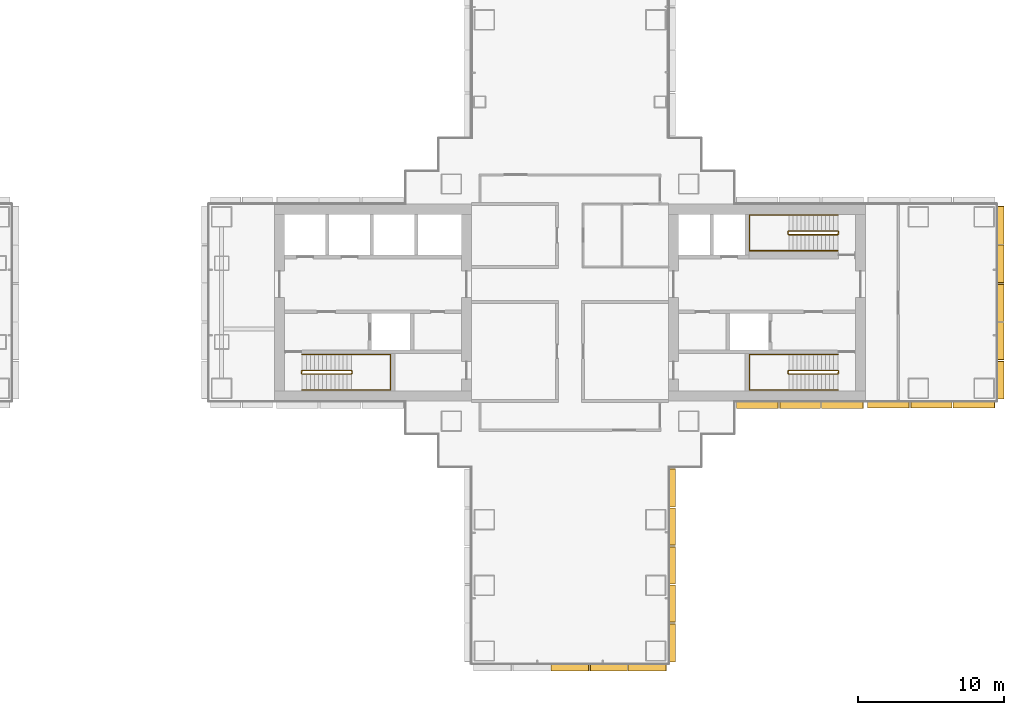
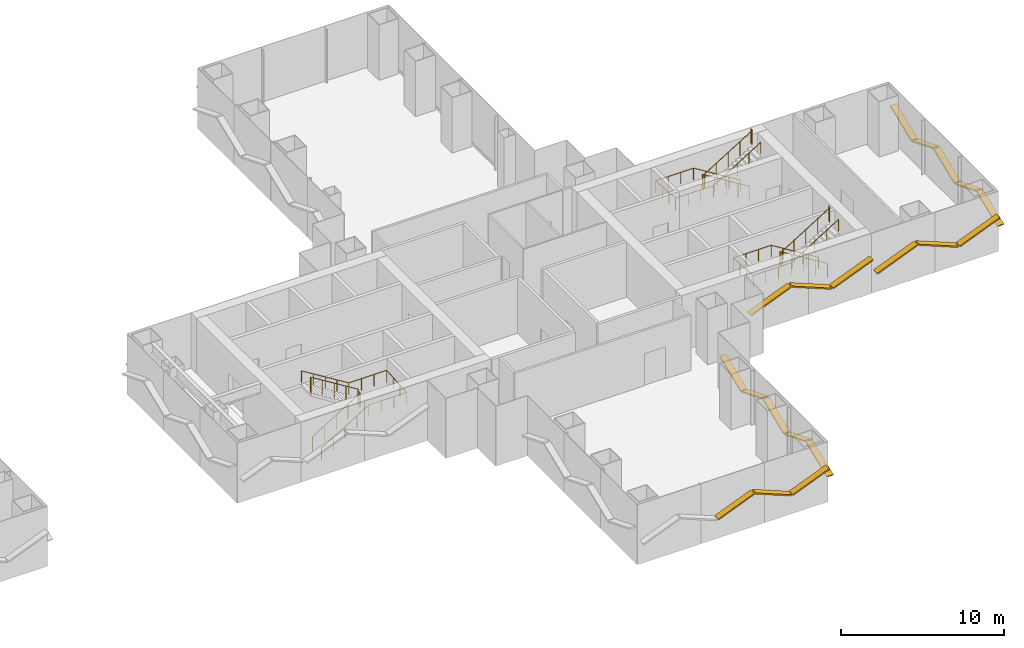
# One storey, part 21 of 22: 19 shading devices, 6 railings.
"""IFC4 building model written with IfcOpenShell, lengths in metres."""

import ifcopenshell
import ifcopenshell.guid

model = None  # the IFC model being written
_history = None  # IfcOwnerHistory: only IFC2X3 demands one
_inside = {}  # id of a spatial element -> (the spatial element, [elements in it])
_under = {}  # id of a project, library or spatial element -> (it, [spatial elements below it])
_declared = {}  # id of a project -> (the project, [libraries it declares])
_typed = {}  # id of a type object -> (the type object, [elements of that type])
_made_of = {}  # id of a material, layer set ... -> (it, [elements and type objects made of it])


def new_model(schema):
    """Start an empty IFC model of exactly this schema.

    Asked for "IFC4X3", IfcOpenShell would pick the latest addendum, in which some entities
    have other attributes; the version numbers below select the first issue.
    IFC2X3 requires an IfcOwnerHistory on every rooted entity: one is made here for all.
    """
    global model, _history
    if schema == "IFC4X3":
        model = ifcopenshell.file(schema_version=(4, 3, 0, 0))
    else:
        model = ifcopenshell.file(schema=schema)
    _inside.clear()
    _under.clear()
    _declared.clear()
    _typed.clear()
    _made_of.clear()
    _history = None
    if model.schema == "IFC2X3":
        org = make("IfcOrganization", Name="unknown")
        user = make(
            "IfcPersonAndOrganization",
            ThePerson=make("IfcPerson", FamilyName="unknown"),
            TheOrganization=org,
        )
        app = make(
            "IfcApplication",
            ApplicationDeveloper=org,
            Version="unknown",
            ApplicationFullName="unknown",
            ApplicationIdentifier="unknown",
        )
        _history = make(
            "IfcOwnerHistory",
            OwningUser=user,
            OwningApplication=app,
            ChangeAction="ADDED",
            CreationDate=0,
        )
    return model


def make(cls, **values):
    """One entity of the class cls with the attributes given. An attribute that is None is left unset."""
    return model.create_entity(
        cls, **{name: value for name, value in values.items() if value is not None}
    )


def rooted(cls, **values):
    """An entity with a GlobalId (a new one), such as an element, a storey or a relation."""
    return make(cls, GlobalId=ifcopenshell.guid.new(), OwnerHistory=_history, **values)


def si_unit(unit_type, name, prefix=None):
    """IfcSIUnit, for example si_unit("LENGTHUNIT", "METRE", prefix="MILLI")."""
    return make("IfcSIUnit", UnitType=unit_type, Prefix=prefix, Name=name)


def assignment(units):
    """IfcUnitAssignment: the units of a project."""
    return None if units is None else make("IfcUnitAssignment", Units=units)


def point(xyz):
    """IfcCartesianPoint."""
    return None if xyz is None else make("IfcCartesianPoint", Coordinates=xyz)


def direction(xyz):
    """IfcDirection."""
    return None if xyz is None else make("IfcDirection", DirectionRatios=xyz)


def frame(location, z_axis=None, x_axis=None):
    """IfcAxis2Placement3D, a coordinate frame: its origin and axes. An axis left out is left unset."""
    return make(
        "IfcAxis2Placement3D",
        Location=point(location),
        Axis=direction(z_axis),
        RefDirection=direction(x_axis),
    )


def frame_2d(location, x_axis=None):
    """IfcAxis2Placement2D, a coordinate frame in the plane: its origin and x axis."""
    return make(
        "IfcAxis2Placement2D", Location=point(location), RefDirection=direction(x_axis)
    )


def origin():
    """The frame at (0, 0, 0) with its axes left unset."""
    return frame((0.0, 0.0, 0.0))


def origin_2d():
    """The frame at (0, 0) in the plane with its x axis left unset."""
    return frame_2d((0.0, 0.0))


def place(relative_to, where):
    """IfcLocalPlacement: puts the frame where relative to a parent placement (None: the world)."""
    return make(
        "IfcLocalPlacement", PlacementRelTo=relative_to, RelativePlacement=where
    )


def context(
    kind, dimensions, precision=None, world=None, true_north=None, identifier=None
):
    """IfcGeometricRepresentationContext, for example the 3D "Model" context."""
    return make(
        "IfcGeometricRepresentationContext",
        ContextIdentifier=identifier,
        ContextType=kind,
        CoordinateSpaceDimension=dimensions,
        Precision=precision,
        WorldCoordinateSystem=world,
        TrueNorth=true_north,
    )


def subcontext(parent, identifier, kind, view, scale=None):
    """IfcGeometricRepresentationSubContext, for example "Body" below "Model"."""
    return make(
        "IfcGeometricRepresentationSubContext",
        ContextIdentifier=identifier,
        ContextType=kind,
        ParentContext=parent,
        TargetScale=scale,
        TargetView=view,
    )


def project(units=None, contexts=None):
    """IfcProject with its units and contexts."""
    return rooted(
        "IfcProject",
        Name="project",
        RepresentationContexts=contexts,
        UnitsInContext=assignment(units),
    )


def spatial(cls, under=None, at=None, **own):
    """A site, building, storey or space (cls), placed at a placement, below another one or the project."""
    s = rooted(cls, ObjectPlacement=at, **own)
    if under is not None:
        _under.setdefault(under.id(), (under, []))[1].append(s)
    return s


def profile(cls, at=None, kind="AREA", **sizes):
    """A parametric profile (cls). Its sizes go by their IFC names, for example OverallWidth=200.0."""
    return make(cls, ProfileType=kind, Position=at, **sizes)


def rectangle(**sizes):
    """IfcRectangleProfileDef."""
    return profile("IfcRectangleProfileDef", **sizes)


def circle(**sizes):
    """IfcCircleProfileDef."""
    return profile("IfcCircleProfileDef", **sizes)


def extrude(swept, where, along, depth):
    """IfcExtrudedAreaSolid: the profile swept, set in the frame where, extruded along a direction by depth."""
    return make(
        "IfcExtrudedAreaSolid",
        SweptArea=swept,
        Position=where,
        ExtrudedDirection=direction(along),
        Depth=depth,
    )


def shape(context_of_items, identifier, shape_type, items):
    """IfcShapeRepresentation: the items that make up one representation, for example the "Body"."""
    return make(
        "IfcShapeRepresentation",
        ContextOfItems=context_of_items,
        RepresentationIdentifier=identifier,
        RepresentationType=shape_type,
        Items=items,
    )


def material(Name=None, Category=None):
    """IfcMaterial."""
    return make("IfcMaterial", Name=Name, Category=Category)


def material_profile(
    of_material, cross_section, Name=None, Category=None, Priority=None
):
    """IfcMaterialProfile: a cross section and its material."""
    return make(
        "IfcMaterialProfile",
        Name=Name,
        Material=of_material,
        Profile=cross_section,
        Priority=Priority,
        Category=Category,
    )


def profile_set(profiles, Name=None, composite=None):
    """IfcMaterialProfileSet."""
    return make(
        "IfcMaterialProfileSet",
        Name=Name,
        MaterialProfiles=profiles,
        CompositeProfile=composite,
    )


def made_of(thing, what):
    """Note that an element or type object is made of a material, layer set ...; save() writes the relation."""
    if what is not None:
        _made_of.setdefault(what.id(), (what, []))[1].append(thing)
    return thing


def type_object(cls, material=None, **own):
    """A type object (cls), such as IfcWallType, which elements share."""
    return made_of(rooted(cls, **own), material)


def element(
    cls,
    number,
    at=None,
    inside=None,
    cuts=None,
    type_object=None,
    material=None,
    context=None,
    identifier="Body",
    shape_type=None,
    held_by="IfcProductDefinitionShape",
    body=None,
    shapes=None,
    **own,
):
    """One element of the class cls, such as IfcWall. Its Tag is "e" and its number.

    at: its placement. inside: the storey or other place that contains it. cuts: it is an
    opening in that element (IfcRelVoidsElement). A single representation is given by context,
    identifier, shape_type and body (its items); several are given by shapes. held_by: the class
    of the entity that holds the representations. save() writes the other relations.
    """
    e = rooted(cls, Tag="e%d" % number, ObjectPlacement=at, **own)
    if body is not None:
        shapes = [shape(context, identifier, shape_type, body)]
    if shapes is not None:
        e.Representation = make(held_by, Representations=shapes)
    if inside is not None:
        _inside.setdefault(inside.id(), (inside, []))[1].append(e)
    if cuts is not None:
        rooted(
            "IfcRelVoidsElement", RelatingBuildingElement=cuts, RelatedOpeningElement=e
        )
    if type_object is not None:
        _typed.setdefault(type_object.id(), (type_object, []))[1].append(e)
    return made_of(e, material)


def aggregate(whole, parts):
    """IfcRelAggregates: a whole, such as a stair, and the parts it consists of."""
    return rooted("IfcRelAggregates", RelatingObject=whole, RelatedObjects=parts)


def save(model, path):
    """Write the relations noted so far, then the file.

    IfcRelAggregates (storeys below a building ...), IfcRelContainedInSpatialStructure (elements
    in a storey), IfcRelDefinesByType, IfcRelAssociatesMaterial and IfcRelDeclares: one each for
    every whole, place, type object, material and project.
    """
    for whole, parts in _under.values():
        aggregate(whole, parts)
    for where, things in _inside.values():
        rooted(
            "IfcRelContainedInSpatialStructure",
            RelatedElements=things,
            RelatingStructure=where,
        )
    for kind, things in _typed.values():
        rooted("IfcRelDefinesByType", RelatedObjects=things, RelatingType=kind)
    for what, things in _made_of.values():
        rooted("IfcRelAssociatesMaterial", RelatedObjects=things, RelatingMaterial=what)
    for by, libraries in _declared.values():
        rooted("IfcRelDeclares", RelatingContext=by, RelatedDefinitions=libraries)
    model.write(path)


model = new_model("IFC4")

# Units and contexts
model_context = context("Model", 3, precision=1e-05, world=origin(), true_north=direction((0.0, 1.0)))
body_context = subcontext(model_context, "Body", "Model", "MODEL_VIEW")
ifc_project = project(units=[si_unit("LENGTHUNIT", "METRE"), si_unit("AREAUNIT", "SQUARE_METRE"), si_unit("VOLUMEUNIT", "CUBIC_METRE"), si_unit("PLANEANGLEUNIT", "RADIAN"), si_unit("MASSUNIT", "GRAM", prefix="KILO")], contexts=[model_context])

# Site, building, storey
site_placement = place(None, origin())
site = spatial("IfcSite", under=ifc_project, at=site_placement, CompositionType="ELEMENT")
building_placement = place(site_placement, origin())
building = spatial("IfcBuilding", under=site, at=building_placement, Name="Shamsa Quay Exchange Towers", CompositionType="ELEMENT")
storey_placement = place(building_placement, frame((0.0, 0.0, 37.5)))
storey = spatial("IfcBuildingStorey", under=building, at=storey_placement, Name="L07", CompositionType="ELEMENT", Elevation=37.5)

# Shading devices
ifc_material_1 = material(Name="Aluminium EN AW-6063 T6, black anodised", Category="aluminium")
ifc_material_profile = material_profile(ifc_material_1, rectangle(XDim=0.449951171875, YDim=0.10009765625, at=origin_2d()), Name="FIN450x100")
ifc_profile_set = profile_set([ifc_material_profile], Name="Aluminium EN AW-6063 T6, black anodised")
shading_device_type = type_object("IfcShadingDeviceType", Name="FIN 450x100 BLACK ALUMINIUM", PredefinedType="USERDEFINED", material=ifc_profile_set)
shading_device_1_placement = place(storey_placement, frame((45.18798828125, -7.01904296875, 1.326904296875), z_axis=(0.927200279974, 0.0, 0.374565936541), x_axis=(0.0, 1.0, 0.0)))
element("IfcShadingDevice", 1, at=shading_device_1_placement, inside=storey, type_object=shading_device_type, Name="FIN T2 chevron rib", ObjectType="FIN", PredefinedType="USERDEFINED", context=body_context, shape_type="SweptSolid", body=[
    extrude(rectangle(XDim=0.449951171875, YDim=0.10009765625, at=origin_2d()), origin(), (0.0, 0.0, 1.0), 3.060302734375),
])
shading_device_2_placement = place(storey_placement, frame((48.125244140625, -7.01904296875, 2.463134765625), z_axis=(0.927177294124, 0.0, -0.374622830673), x_axis=(0.0, 1.0, 0.0)))
element("IfcShadingDevice", 2, at=shading_device_2_placement, inside=storey, type_object=shading_device_type, Name="FIN T2 chevron rib", ObjectType="FIN", PredefinedType="USERDEFINED", context=body_context, shape_type="SweptSolid", body=[
    extrude(rectangle(XDim=0.449951171875, YDim=0.10009765625, at=origin_2d()), origin(), (0.0, 0.0, 1.0), 3.00634765625),
])
shading_device_3_placement = place(storey_placement, frame((51.0126953125, -7.01904296875, 1.326904296875), z_axis=(0.927200279974, 0.0, 0.374565936541), x_axis=(0.0, 1.0, 0.0)))
element("IfcShadingDevice", 3, at=shading_device_3_placement, inside=storey, type_object=shading_device_type, Name="FIN T2 chevron rib", ObjectType="FIN", PredefinedType="USERDEFINED", context=body_context, shape_type="SweptSolid", body=[
    extrude(rectangle(XDim=0.449951171875, YDim=0.10009765625, at=origin_2d()), origin(), (0.0, 0.0, 1.0), 3.060302734375),
])
shading_device_4_placement = place(storey_placement, frame((54.14990234375, -7.014892578125, 1.32421875), z_axis=(0.927172879528, 0.0, 0.374633756445), x_axis=(0.0, 1.0, 0.0)))
element("IfcShadingDevice", 4, at=shading_device_4_placement, inside=storey, type_object=shading_device_type, Name="FIN T2 chevron rib", ObjectType="FIN", PredefinedType="USERDEFINED", context=body_context, shape_type="SweptSolid", body=[
    extrude(rectangle(XDim=0.449951171875, YDim=0.10009765625, at=origin_2d()), origin(), (0.0, 0.0, 1.0), 3.073974609375),
])
shading_device_5_placement = place(storey_placement, frame((57.10009765625, -7.014892578125, 2.465576171875), z_axis=(0.927194321903, 0.0, -0.374580684808), x_axis=(0.0, 1.0, 0.0)))
element("IfcShadingDevice", 5, at=shading_device_5_placement, inside=storey, type_object=shading_device_type, Name="FIN T2 chevron rib", ObjectType="FIN", PredefinedType="USERDEFINED", context=body_context, shape_type="SweptSolid", body=[
    extrude(rectangle(XDim=0.449951171875, YDim=0.10009765625, at=origin_2d()), origin(), (0.0, 0.0, 1.0), 3.01953125),
])
shading_device_6_placement = place(storey_placement, frame((60.0, -7.014892578125, 1.32421875), z_axis=(0.927172879528, 0.0, 0.374633756445), x_axis=(0.0, 1.0, 0.0)))
element("IfcShadingDevice", 6, at=shading_device_6_placement, inside=storey, type_object=shading_device_type, Name="FIN T2 chevron rib", ObjectType="FIN", PredefinedType="USERDEFINED", context=body_context, shape_type="SweptSolid", body=[
    extrude(rectangle(XDim=0.449951171875, YDim=0.10009765625, at=origin_2d()), origin(), (0.0, 0.0, 1.0), 3.073974609375),
])
shading_device_7_placement = place(storey_placement, frame((63.264892578125, -6.60009765625, 1.376708984375), z_axis=(0.0, 0.927193392866, 0.374582984431), x_axis=(-1.0, 0.0, 0.0)))
element("IfcShadingDevice", 7, at=shading_device_7_placement, inside=storey, type_object=shading_device_type, Name="FIN T2 chevron rib", ObjectType="FIN", PredefinedType="USERDEFINED", context=body_context, shape_type="SweptSolid", body=[
    extrude(rectangle(XDim=0.449951171875, YDim=0.10009765625, at=origin_2d()), origin(), (0.0, 0.0, 1.0), 2.79345703125),
])
shading_device_8_placement = place(storey_placement, frame((63.264892578125, -3.909912109375, 2.4130859375), z_axis=(0.0, 0.92718648049, -0.374600093963), x_axis=(-1.0, 0.0, 0.0)))
element("IfcShadingDevice", 8, at=shading_device_8_placement, inside=storey, type_object=shading_device_type, Name="FIN T2 chevron rib", ObjectType="FIN", PredefinedType="USERDEFINED", context=body_context, shape_type="SweptSolid", body=[
    extrude(rectangle(XDim=0.449951171875, YDim=0.10009765625, at=origin_2d()), origin(), (0.0, 0.0, 1.0), 2.7392578125),
])
shading_device_9_placement = place(storey_placement, frame((63.264892578125, -1.27001953125, 1.386962890625), z_axis=(0.0, 0.927198985683, 0.37456914041), x_axis=(-1.0, 0.0, 0.0)))
element("IfcShadingDevice", 9, at=shading_device_9_placement, inside=storey, type_object=shading_device_type, Name="FIN T2 chevron rib", ObjectType="FIN", PredefinedType="USERDEFINED", context=body_context, shape_type="SweptSolid", body=[
    extrude(rectangle(XDim=0.449951171875, YDim=0.10009765625, at=origin_2d()), origin(), (0.0, 0.0, 1.0), 2.739501953125),
])
shading_device_10_placement = place(storey_placement, frame((63.264892578125, 1.3701171875, 2.4130859375), z_axis=(0.0, 0.92718648049, -0.374600093963), x_axis=(-1.0, 0.0, 0.0)))
element("IfcShadingDevice", 10, at=shading_device_10_placement, inside=storey, type_object=shading_device_type, Name="FIN T2 chevron rib", ObjectType="FIN", PredefinedType="USERDEFINED", context=body_context, shape_type="SweptSolid", body=[
    extrude(rectangle(XDim=0.449951171875, YDim=0.10009765625, at=origin_2d()), origin(), (0.0, 0.0, 1.0), 2.7392578125),
])
shading_device_11_placement = place(storey_placement, frame((63.264892578125, 4.010009765625, 1.376708984375), z_axis=(0.0, 0.927193392866, 0.374582984431), x_axis=(-1.0, 0.0, 0.0)))
element("IfcShadingDevice", 11, at=shading_device_11_placement, inside=storey, type_object=shading_device_type, Name="FIN T2 chevron rib", ObjectType="FIN", PredefinedType="USERDEFINED", context=body_context, shape_type="SweptSolid", body=[
    extrude(rectangle(XDim=0.449951171875, YDim=0.10009765625, at=origin_2d()), origin(), (0.0, 0.0, 1.0), 2.79345703125),
])
shading_device_12_placement = place(storey_placement, frame((32.47998046875, -25.014892578125, 1.386962890625), z_axis=(0.927198985683, 0.0, 0.37456914041), x_axis=(0.0, 1.0, 0.0)))
element("IfcShadingDevice", 12, at=shading_device_12_placement, inside=storey, type_object=shading_device_type, Name="FIN T2 chevron rib", ObjectType="FIN", PredefinedType="USERDEFINED", context=body_context, shape_type="SweptSolid", body=[
    extrude(rectangle(XDim=0.449951171875, YDim=0.10009765625, at=origin_2d()), origin(), (0.0, 0.0, 1.0), 2.739501953125),
])
shading_device_13_placement = place(storey_placement, frame((35.1201171875, -25.014892578125, 2.4130859375), z_axis=(0.92718648049, 0.0, -0.374600093963), x_axis=(0.0, 1.0, 0.0)))
element("IfcShadingDevice", 13, at=shading_device_13_placement, inside=storey, type_object=shading_device_type, Name="FIN T2 chevron rib", ObjectType="FIN", PredefinedType="USERDEFINED", context=body_context, shape_type="SweptSolid", body=[
    extrude(rectangle(XDim=0.449951171875, YDim=0.10009765625, at=origin_2d()), origin(), (0.0, 0.0, 1.0), 2.7392578125),
])
for number, where, z_axis, x_axis, name in (
    (14, (37.760009765625, -25.014892578125, 1.376708984375), (0.927193392866, 0.0, 0.374582984431), (0.0, 1.0, 0.0), "FIN T2 chevron rib"),
    (15, (40.764892578125, -24.60009765625, 1.376708984375), (0.0, 0.927193392866, 0.374582984431), (-1.0, 0.0, 0.0), "FIN T2 chevron rib"),
):
    element("IfcShadingDevice", number, at=place(storey_placement, frame(where, z_axis=z_axis, x_axis=x_axis)), inside=storey, type_object=shading_device_type, Name=name, ObjectType="FIN", PredefinedType="USERDEFINED", context=body_context, shape_type="SweptSolid", body=[
        extrude(rectangle(XDim=0.449951171875, YDim=0.10009765625, at=origin_2d()), origin(), (0.0, 0.0, 1.0), 2.79345703125),
    ])
shading_device_14_placement = place(storey_placement, frame((40.764892578125, -21.909912109375, 2.4130859375), z_axis=(0.0, 0.92718648049, -0.374600093963), x_axis=(-1.0, 0.0, 0.0)))
element("IfcShadingDevice", 16, at=shading_device_14_placement, inside=storey, type_object=shading_device_type, Name="FIN T2 chevron rib", ObjectType="FIN", PredefinedType="USERDEFINED", context=body_context, shape_type="SweptSolid", body=[
    extrude(rectangle(XDim=0.449951171875, YDim=0.10009765625, at=origin_2d()), origin(), (0.0, 0.0, 1.0), 2.7392578125),
])
shading_device_15_placement = place(storey_placement, frame((40.764892578125, -19.27001953125, 1.386962890625), z_axis=(0.0, 0.927198985683, 0.37456914041), x_axis=(-1.0, 0.0, 0.0)))
element("IfcShadingDevice", 17, at=shading_device_15_placement, inside=storey, type_object=shading_device_type, Name="FIN T2 chevron rib", ObjectType="FIN", PredefinedType="USERDEFINED", context=body_context, shape_type="SweptSolid", body=[
    extrude(rectangle(XDim=0.449951171875, YDim=0.10009765625, at=origin_2d()), origin(), (0.0, 0.0, 1.0), 2.739501953125),
])
shading_device_16_placement = place(storey_placement, frame((40.764892578125, -16.6298828125, 2.4130859375), z_axis=(0.0, 0.92718648049, -0.374600093963), x_axis=(-1.0, 0.0, 0.0)))
element("IfcShadingDevice", 18, at=shading_device_16_placement, inside=storey, type_object=shading_device_type, Name="FIN T2 chevron rib", ObjectType="FIN", PredefinedType="USERDEFINED", context=body_context, shape_type="SweptSolid", body=[
    extrude(rectangle(XDim=0.449951171875, YDim=0.10009765625, at=origin_2d()), origin(), (0.0, 0.0, 1.0), 2.7392578125),
])
shading_device_17_placement = place(storey_placement, frame((40.764892578125, -13.989990234375, 1.376708984375), z_axis=(0.0, 0.927193392866, 0.374582984431), x_axis=(-1.0, 0.0, 0.0)))
element("IfcShadingDevice", 19, at=shading_device_17_placement, inside=storey, type_object=shading_device_type, Name="FIN T2 chevron rib", ObjectType="FIN", PredefinedType="USERDEFINED", context=body_context, shape_type="SweptSolid", body=[
    extrude(rectangle(XDim=0.449951171875, YDim=0.10009765625, at=origin_2d()), origin(), (0.0, 0.0, 1.0), 2.79345703125),
])

# Railings
ifc_material_2 = material(Name="Stainless steel", Category="steel")
railing_type_1 = type_object("IfcRailingType", Name="STAIR GUARD 1100", PredefinedType="GUARDRAIL", material=ifc_material_2)
railing_1_placement = place(storey_placement, frame((15.39990234375, -4.89990234375, 0.173095703125)))
element("IfcRailing", 20, at=railing_1_placement, inside=storey, type_object=railing_type_1, Name="L07 ST4 stair guard 1", PredefinedType="GUARDRAIL", context=body_context, shape_type="SweptSolid", body=[
    extrude(circle(Radius=0.02392578125, at=origin_2d()), frame((0.0, 0.0, 1.076171875), z_axis=(0.850623216509, 0.0, 0.525775754039), x_axis=(0.0, 1.0, 0.0)), (0.0, 0.0, 1.0), 3.9501953125),
    extrude(circle(Radius=0.02392578125, at=origin_2d()), frame((3.360107421875, 0.0, 3.15283203125), z_axis=(0.708833529934, 0.705375805398, 0.0), x_axis=(-0.705375805398, 0.708833529934, 0.0)), (0.0, 0.0, 1.0), 0.070556640625),
    extrude(circle(Radius=0.02392578125, at=origin_2d()), frame((3.41015625, 0.0498046875, 3.15283203125), z_axis=(0.0, 1.0, 0.0), x_axis=(-1.0, 0.0, 0.0)), (0.0, 0.0, 1.0), 0.150146484375),
    extrude(circle(Radius=0.02392578125, at=origin_2d()), frame((3.41015625, 0.199951171875, 3.15283203125), z_axis=(-0.267629722418, 0.267629722418, 0.925607186314), x_axis=(-0.707106781187, -0.707106781187, 0.0)), (0.0, 0.0, 1.0), 0.18701171875),
    extrude(circle(Radius=0.02392578125, at=origin_2d()), frame((3.360107421875, 0.25, 3.326171875), z_axis=(-0.850623216509, 0.0, 0.525775754039), x_axis=(0.0, -1.0, 0.0)), (0.0, 0.0, 1.0), 3.9501953125),
    extrude(circle(Radius=0.02392578125, at=origin_2d()), frame((0.0, 0.25, 5.40283203125), z_axis=(-0.24142163986, -0.970420317083, 0.0), x_axis=(0.970420317083, -0.24142163986, 0.0)), (0.0, 0.0, 1.0), 0.206298828125),
    extrude(circle(Radius=0.02392578125, at=origin_2d()), frame((-0.0498046875, 0.0498046875, 5.40283203125), z_axis=(0.0, 1.0, 0.0), x_axis=(-1.0, 0.0, 0.0)), (0.0, 0.0, 1.0), 0.150146484375),
    extrude(circle(Radius=0.02099609375, at=origin_2d()), origin(), (0.0, 0.0, 1.0), 1.052001953125),
    extrude(circle(Radius=0.02099609375, at=origin_2d()), frame((0.840087890625, 0.0, 0.519287109375)), (0.0, 0.0, 1.0), 1.052001953125),
    extrude(circle(Radius=0.02099609375, at=origin_2d()), frame((1.68017578125, 0.0, 1.03857421875)), (0.0, 0.0, 1.0), 1.052001953125),
    extrude(circle(Radius=0.02099609375, at=origin_2d()), frame((2.52001953125, 0.0, 1.5576171875)), (0.0, 0.0, 1.0), 1.052001953125),
    extrude(circle(Radius=0.02099609375, at=origin_2d()), frame((3.360107421875, 0.0, 2.076904296875)), (0.0, 0.0, 1.0), 1.052001953125),
    extrude(circle(Radius=0.02099609375, at=origin_2d()), frame((3.41015625, 0.0498046875, 2.076904296875)), (0.0, 0.0, 1.0), 1.052001953125),
    extrude(circle(Radius=0.02099609375, at=origin_2d()), frame((3.41015625, 0.199951171875, 2.076904296875)), (0.0, 0.0, 1.0), 1.052001953125),
    extrude(circle(Radius=0.02099609375, at=origin_2d()), frame((3.360107421875, 0.25, 2.25)), (0.0, 0.0, 1.0), 1.052001953125),
    extrude(circle(Radius=0.02099609375, at=origin_2d()), frame((2.52001953125, 0.25, 2.769287109375)), (0.0, 0.0, 1.0), 1.052001953125),
    extrude(circle(Radius=0.02099609375, at=origin_2d()), frame((1.68017578125, 0.25, 3.28857421875)), (0.0, 0.0, 1.0), 1.052001953125),
    extrude(circle(Radius=0.02099609375, at=origin_2d()), frame((0.840087890625, 0.25, 3.8076171875)), (0.0, 0.0, 1.0), 1.052001953125),
    extrude(circle(Radius=0.02099609375, at=origin_2d()), frame((0.0, 0.25, 4.326904296875)), (0.0, 0.0, 1.0), 1.052001953125),
    extrude(circle(Radius=0.02099609375, at=origin_2d()), frame((-0.0498046875, 0.0498046875, 4.326904296875)), (0.0, 0.0, 1.0), 1.052001953125),
    extrude(circle(Radius=0.02099609375, at=origin_2d()), frame((-0.0498046875, 0.199951171875, 4.326904296875)), (0.0, 0.0, 1.0), 1.052001953125),
])
railing_2_placement = place(storey_placement, frame((52.10009765625, -4.64990234375, 0.173095703125)))
element("IfcRailing", 21, at=railing_2_placement, inside=storey, type_object=railing_type_1, Name="L07 ST5 stair guard 1", PredefinedType="GUARDRAIL", context=body_context, shape_type="SweptSolid", body=[
    extrude(circle(Radius=0.02392578125, at=origin_2d()), frame((0.0, 0.0, 1.076171875), z_axis=(-0.850623216509, 0.0, 0.525775754039), x_axis=(0.0, -1.0, 0.0)), (0.0, 0.0, 1.0), 3.9501953125),
    extrude(circle(Radius=0.02392578125, at=origin_2d()), frame((-3.360107421875, 0.0, 3.15283203125), z_axis=(-0.707106781187, -0.707106781187, 0.0), x_axis=(0.707106781187, -0.707106781187, 0.0)), (0.0, 0.0, 1.0), 0.07080078125),
    extrude(circle(Radius=0.02392578125, at=origin_2d()), frame((-3.41015625, -0.050048828125, 3.15283203125), z_axis=(0.0, -1.0, 0.0), x_axis=(1.0, 0.0, 0.0)), (0.0, 0.0, 1.0), 0.150146484375),
    extrude(circle(Radius=0.02392578125, at=origin_2d()), frame((-3.41015625, -0.2001953125, 3.15283203125), z_axis=(0.267723051232, -0.266417085129, 0.925929967433), x_axis=(0.705375805398, 0.708833529934, 0.0)), (0.0, 0.0, 1.0), 0.18701171875),
    extrude(circle(Radius=0.02392578125, at=origin_2d()), frame((-3.360107421875, -0.25, 3.326171875), z_axis=(0.850623216509, 0.0, 0.525775754039), x_axis=(0.0, 1.0, 0.0)), (0.0, 0.0, 1.0), 3.9501953125),
    extrude(circle(Radius=0.02392578125, at=origin_2d()), frame((0.0, -0.25, 5.40283203125), z_axis=(0.241699205484, 0.970351222016, 0.0), x_axis=(-0.970351222016, 0.241699205484, 0.0)), (0.0, 0.0, 1.0), 0.2060546875),
    extrude(circle(Radius=0.02392578125, at=origin_2d()), frame((0.0498046875, -0.050048828125, 5.40283203125), z_axis=(0.0, -1.0, 0.0), x_axis=(1.0, 0.0, 0.0)), (0.0, 0.0, 1.0), 0.150146484375),
    extrude(circle(Radius=0.02099609375, at=origin_2d()), origin(), (0.0, 0.0, 1.0), 1.052001953125),
    extrude(circle(Radius=0.02099609375, at=origin_2d()), frame((-0.840087890625, 0.0, 0.519287109375)), (0.0, 0.0, 1.0), 1.052001953125),
    extrude(circle(Radius=0.02099609375, at=origin_2d()), frame((-1.68017578125, 0.0, 1.03857421875)), (0.0, 0.0, 1.0), 1.052001953125),
    extrude(circle(Radius=0.02099609375, at=origin_2d()), frame((-2.52001953125, 0.0, 1.5576171875)), (0.0, 0.0, 1.0), 1.052001953125),
    extrude(circle(Radius=0.02099609375, at=origin_2d()), frame((-3.360107421875, 0.0, 2.076904296875)), (0.0, 0.0, 1.0), 1.052001953125),
    extrude(circle(Radius=0.02099609375, at=origin_2d()), frame((-3.41015625, -0.050048828125, 2.076904296875)), (0.0, 0.0, 1.0), 1.052001953125),
    extrude(circle(Radius=0.02099609375, at=origin_2d()), frame((-3.41015625, -0.2001953125, 2.076904296875)), (0.0, 0.0, 1.0), 1.052001953125),
    extrude(circle(Radius=0.02099609375, at=origin_2d()), frame((-3.360107421875, -0.25, 2.25)), (0.0, 0.0, 1.0), 1.052001953125),
    extrude(circle(Radius=0.02099609375, at=origin_2d()), frame((-2.52001953125, -0.25, 2.769287109375)), (0.0, 0.0, 1.0), 1.052001953125),
    extrude(circle(Radius=0.02099609375, at=origin_2d()), frame((-1.68017578125, -0.25, 3.28857421875)), (0.0, 0.0, 1.0), 1.052001953125),
    extrude(circle(Radius=0.02099609375, at=origin_2d()), frame((-0.840087890625, -0.25, 3.8076171875)), (0.0, 0.0, 1.0), 1.052001953125),
    extrude(circle(Radius=0.02099609375, at=origin_2d()), frame((0.0, -0.25, 4.326904296875)), (0.0, 0.0, 1.0), 1.052001953125),
    extrude(circle(Radius=0.02099609375, at=origin_2d()), frame((0.0498046875, -0.050048828125, 4.326904296875)), (0.0, 0.0, 1.0), 1.052001953125),
    extrude(circle(Radius=0.02099609375, at=origin_2d()), frame((0.0498046875, -0.2001953125, 4.326904296875)), (0.0, 0.0, 1.0), 1.052001953125),
])
railing_3_placement = place(storey_placement, frame((52.10009765625, 4.89990234375, 0.173095703125)))
element("IfcRailing", 22, at=railing_3_placement, inside=storey, type_object=railing_type_1, Name="L07 ST6 stair guard 1", PredefinedType="GUARDRAIL", context=body_context, shape_type="SweptSolid", body=[
    extrude(circle(Radius=0.02392578125, at=origin_2d()), frame((0.0, 0.0, 1.076171875), z_axis=(-0.850623216509, 0.0, 0.525775754039), x_axis=(0.0, -1.0, 0.0)), (0.0, 0.0, 1.0), 3.9501953125),
    extrude(circle(Radius=0.02392578125, at=origin_2d()), frame((-3.360107421875, 0.0, 3.15283203125), z_axis=(-0.708833529934, -0.705375805398, 0.0), x_axis=(0.705375805398, -0.708833529934, 0.0)), (0.0, 0.0, 1.0), 0.070556640625),
    extrude(circle(Radius=0.02392578125, at=origin_2d()), frame((-3.41015625, -0.0498046875, 3.15283203125), z_axis=(0.0, -1.0, 0.0), x_axis=(1.0, 0.0, 0.0)), (0.0, 0.0, 1.0), 0.150146484375),
    extrude(circle(Radius=0.02392578125, at=origin_2d()), frame((-3.41015625, -0.199951171875, 3.15283203125), z_axis=(0.267629722418, -0.267629722418, 0.925607186314), x_axis=(0.707106781187, 0.707106781187, 0.0)), (0.0, 0.0, 1.0), 0.18701171875),
    extrude(circle(Radius=0.02392578125, at=origin_2d()), frame((-3.360107421875, -0.25, 3.326171875), z_axis=(0.850623216509, 0.0, 0.525775754039), x_axis=(0.0, 1.0, 0.0)), (0.0, 0.0, 1.0), 3.9501953125),
    extrude(circle(Radius=0.02392578125, at=origin_2d()), frame((0.0, -0.25, 5.40283203125), z_axis=(0.24142163986, 0.970420317083, 0.0), x_axis=(-0.970420317083, 0.24142163986, 0.0)), (0.0, 0.0, 1.0), 0.206298828125),
    extrude(circle(Radius=0.02392578125, at=origin_2d()), frame((0.0498046875, -0.0498046875, 5.40283203125), z_axis=(0.0, -1.0, 0.0), x_axis=(1.0, 0.0, 0.0)), (0.0, 0.0, 1.0), 0.150146484375),
    extrude(circle(Radius=0.02099609375, at=origin_2d()), origin(), (0.0, 0.0, 1.0), 1.052001953125),
    extrude(circle(Radius=0.02099609375, at=origin_2d()), frame((-0.840087890625, 0.0, 0.519287109375)), (0.0, 0.0, 1.0), 1.052001953125),
    extrude(circle(Radius=0.02099609375, at=origin_2d()), frame((-1.68017578125, 0.0, 1.03857421875)), (0.0, 0.0, 1.0), 1.052001953125),
    extrude(circle(Radius=0.02099609375, at=origin_2d()), frame((-2.52001953125, 0.0, 1.5576171875)), (0.0, 0.0, 1.0), 1.052001953125),
    extrude(circle(Radius=0.02099609375, at=origin_2d()), frame((-3.360107421875, 0.0, 2.076904296875)), (0.0, 0.0, 1.0), 1.052001953125),
    extrude(circle(Radius=0.02099609375, at=origin_2d()), frame((-3.41015625, -0.0498046875, 2.076904296875)), (0.0, 0.0, 1.0), 1.052001953125),
    extrude(circle(Radius=0.02099609375, at=origin_2d()), frame((-3.41015625, -0.199951171875, 2.076904296875)), (0.0, 0.0, 1.0), 1.052001953125),
    extrude(circle(Radius=0.02099609375, at=origin_2d()), frame((-3.360107421875, -0.25, 2.25)), (0.0, 0.0, 1.0), 1.052001953125),
    extrude(circle(Radius=0.02099609375, at=origin_2d()), frame((-2.52001953125, -0.25, 2.769287109375)), (0.0, 0.0, 1.0), 1.052001953125),
    extrude(circle(Radius=0.02099609375, at=origin_2d()), frame((-1.68017578125, -0.25, 3.28857421875)), (0.0, 0.0, 1.0), 1.052001953125),
    extrude(circle(Radius=0.02099609375, at=origin_2d()), frame((-0.840087890625, -0.25, 3.8076171875)), (0.0, 0.0, 1.0), 1.052001953125),
    extrude(circle(Radius=0.02099609375, at=origin_2d()), frame((0.0, -0.25, 4.326904296875)), (0.0, 0.0, 1.0), 1.052001953125),
    extrude(circle(Radius=0.02099609375, at=origin_2d()), frame((0.0498046875, -0.0498046875, 4.326904296875)), (0.0, 0.0, 1.0), 1.052001953125),
    extrude(circle(Radius=0.02099609375, at=origin_2d()), frame((0.0498046875, -0.199951171875, 4.326904296875)), (0.0, 0.0, 1.0), 1.052001953125),
])
railing_type_2 = type_object("IfcRailingType", Name="STAIR HANDRAIL 900", PredefinedType="HANDRAIL", material=ifc_material_2)
railing_4_placement = place(storey_placement, frame((15.39990234375, -6.0, 0.173095703125)))
element("IfcRailing", 23, at=railing_4_placement, inside=storey, type_object=railing_type_2, Name="L07 ST4 stair handrail 1", PredefinedType="HANDRAIL", context=body_context, shape_type="SweptSolid", body=[
    extrude(circle(Radius=0.02392578125, at=origin_2d()), frame((0.0, 0.0, 0.8759765625), z_axis=(0.850623216509, 0.0, 0.525775754039), x_axis=(0.0, 1.0, 0.0)), (0.0, 0.0, 1.0), 3.9501953125),
    extrude(circle(Radius=0.02392578125, at=origin_2d()), frame((3.360107421875, 0.0, 2.95263671875), z_axis=(1.0, 0.0, 0.0), x_axis=(0.0, 1.0, 0.0)), (0.0, 0.0, 1.0), 2.68994140625),
    extrude(circle(Radius=0.02392578125, at=origin_2d()), frame((6.050048828125, 0.0, 2.95263671875), z_axis=(0.0, 0.997513402493, 0.07047703063), x_axis=(-1.0, 0.0, 0.0)), (0.0, 0.0, 1.0), 2.4560546875),
    extrude(circle(Radius=0.02392578125, at=origin_2d()), frame((6.050048828125, 2.449951171875, 3.1259765625), z_axis=(-1.0, 0.0, 0.0), x_axis=(0.0, -1.0, 0.0)), (0.0, 0.0, 1.0), 2.68994140625),
    extrude(circle(Radius=0.02392578125, at=origin_2d()), frame((3.360107421875, 2.449951171875, 3.1259765625), z_axis=(-0.850623216509, 0.0, 0.525775754039), x_axis=(0.0, -1.0, 0.0)), (0.0, 0.0, 1.0), 3.9501953125),
    extrude(circle(Radius=0.02099609375, at=origin_2d()), origin(), (0.0, 0.0, 1.0), 0.851806640625),
    extrude(circle(Radius=0.02099609375, at=origin_2d()), frame((0.840087890625, 0.0, 0.519287109375)), (0.0, 0.0, 1.0), 0.851806640625),
    extrude(circle(Radius=0.02099609375, at=origin_2d()), frame((1.68017578125, 0.0, 1.03857421875)), (0.0, 0.0, 1.0), 0.851806640625),
    extrude(circle(Radius=0.02099609375, at=origin_2d()), frame((2.52001953125, 0.0, 1.5576171875)), (0.0, 0.0, 1.0), 0.851806640625),
    extrude(circle(Radius=0.02099609375, at=origin_2d()), frame((3.360107421875, 0.0, 2.076904296875)), (0.0, 0.0, 1.0), 0.851806640625),
    extrude(circle(Radius=0.02099609375, at=origin_2d()), frame((4.2568359375, 0.0, 2.076904296875)), (0.0, 0.0, 1.0), 0.851806640625),
    extrude(circle(Radius=0.02099609375, at=origin_2d()), frame((5.1533203125, 0.0, 2.076904296875)), (0.0, 0.0, 1.0), 0.851806640625),
    extrude(circle(Radius=0.02099609375, at=origin_2d()), frame((6.050048828125, 0.0, 2.076904296875)), (0.0, 0.0, 1.0), 0.851806640625),
    extrude(circle(Radius=0.02099609375, at=origin_2d()), frame((6.050048828125, 0.816650390625, 2.134521484375)), (0.0, 0.0, 1.0), 0.851806640625),
    extrude(circle(Radius=0.02099609375, at=origin_2d()), frame((6.050048828125, 1.63330078125, 2.1923828125)), (0.0, 0.0, 1.0), 0.851806640625),
    extrude(circle(Radius=0.02099609375, at=origin_2d()), frame((6.050048828125, 2.449951171875, 2.25)), (0.0, 0.0, 1.0), 0.851806640625),
    extrude(circle(Radius=0.02099609375, at=origin_2d()), frame((5.1533203125, 2.449951171875, 2.25)), (0.0, 0.0, 1.0), 0.851806640625),
    extrude(circle(Radius=0.02099609375, at=origin_2d()), frame((4.2568359375, 2.449951171875, 2.25)), (0.0, 0.0, 1.0), 0.851806640625),
    extrude(circle(Radius=0.02099609375, at=origin_2d()), frame((3.360107421875, 2.449951171875, 2.25)), (0.0, 0.0, 1.0), 0.851806640625),
    extrude(circle(Radius=0.02099609375, at=origin_2d()), frame((2.52001953125, 2.449951171875, 2.769287109375)), (0.0, 0.0, 1.0), 0.851806640625),
    extrude(circle(Radius=0.02099609375, at=origin_2d()), frame((1.68017578125, 2.449951171875, 3.28857421875)), (0.0, 0.0, 1.0), 0.851806640625),
    extrude(circle(Radius=0.02099609375, at=origin_2d()), frame((0.840087890625, 2.449951171875, 3.8076171875)), (0.0, 0.0, 1.0), 0.851806640625),
    extrude(circle(Radius=0.02099609375, at=origin_2d()), frame((0.0, 2.449951171875, 4.326904296875)), (0.0, 0.0, 1.0), 0.851806640625),
])
railing_5_placement = place(storey_placement, frame((52.10009765625, -3.550048828125, 0.173095703125)))
element("IfcRailing", 24, at=railing_5_placement, inside=storey, type_object=railing_type_2, Name="L07 ST5 stair handrail 1", PredefinedType="HANDRAIL", context=body_context, shape_type="SweptSolid", body=[
    extrude(circle(Radius=0.02392578125, at=origin_2d()), frame((0.0, 0.0, 0.8759765625), z_axis=(-0.850623216509, 0.0, 0.525775754039), x_axis=(0.0, -1.0, 0.0)), (0.0, 0.0, 1.0), 3.9501953125),
    extrude(circle(Radius=0.02392578125, at=origin_2d()), frame((-3.360107421875, 0.0, 2.95263671875), z_axis=(-1.0, 0.0, 0.0), x_axis=(0.0, -1.0, 0.0)), (0.0, 0.0, 1.0), 2.68994140625),
    extrude(circle(Radius=0.02392578125, at=origin_2d()), frame((-6.050048828125, 0.0, 2.95263671875), z_axis=(0.0, -0.997513402493, 0.07047703063), x_axis=(1.0, 0.0, 0.0)), (0.0, 0.0, 1.0), 2.4560546875),
    extrude(circle(Radius=0.02392578125, at=origin_2d()), frame((-6.050048828125, -2.449951171875, 3.1259765625), z_axis=(1.0, 0.0, 0.0), x_axis=(0.0, 1.0, 0.0)), (0.0, 0.0, 1.0), 2.68994140625),
    extrude(circle(Radius=0.02392578125, at=origin_2d()), frame((-3.360107421875, -2.449951171875, 3.1259765625), z_axis=(0.850623216509, 0.0, 0.525775754039), x_axis=(0.0, 1.0, 0.0)), (0.0, 0.0, 1.0), 3.9501953125),
    extrude(circle(Radius=0.02099609375, at=origin_2d()), origin(), (0.0, 0.0, 1.0), 0.851806640625),
    extrude(circle(Radius=0.02099609375, at=origin_2d()), frame((-0.840087890625, 0.0, 0.519287109375)), (0.0, 0.0, 1.0), 0.851806640625),
    extrude(circle(Radius=0.02099609375, at=origin_2d()), frame((-1.68017578125, 0.0, 1.03857421875)), (0.0, 0.0, 1.0), 0.851806640625),
    extrude(circle(Radius=0.02099609375, at=origin_2d()), frame((-2.52001953125, 0.0, 1.5576171875)), (0.0, 0.0, 1.0), 0.851806640625),
    extrude(circle(Radius=0.02099609375, at=origin_2d()), frame((-3.360107421875, 0.0, 2.076904296875)), (0.0, 0.0, 1.0), 0.851806640625),
    extrude(circle(Radius=0.02099609375, at=origin_2d()), frame((-4.2568359375, 0.0, 2.076904296875)), (0.0, 0.0, 1.0), 0.851806640625),
    extrude(circle(Radius=0.02099609375, at=origin_2d()), frame((-5.1533203125, 0.0, 2.076904296875)), (0.0, 0.0, 1.0), 0.851806640625),
    extrude(circle(Radius=0.02099609375, at=origin_2d()), frame((-6.050048828125, 0.0, 2.076904296875)), (0.0, 0.0, 1.0), 0.851806640625),
    extrude(circle(Radius=0.02099609375, at=origin_2d()), frame((-6.050048828125, -0.816650390625, 2.134521484375)), (0.0, 0.0, 1.0), 0.851806640625),
    extrude(circle(Radius=0.02099609375, at=origin_2d()), frame((-6.050048828125, -1.63330078125, 2.1923828125)), (0.0, 0.0, 1.0), 0.851806640625),
    extrude(circle(Radius=0.02099609375, at=origin_2d()), frame((-6.050048828125, -2.449951171875, 2.25)), (0.0, 0.0, 1.0), 0.851806640625),
    extrude(circle(Radius=0.02099609375, at=origin_2d()), frame((-5.1533203125, -2.449951171875, 2.25)), (0.0, 0.0, 1.0), 0.851806640625),
    extrude(circle(Radius=0.02099609375, at=origin_2d()), frame((-4.2568359375, -2.449951171875, 2.25)), (0.0, 0.0, 1.0), 0.851806640625),
    extrude(circle(Radius=0.02099609375, at=origin_2d()), frame((-3.360107421875, -2.449951171875, 2.25)), (0.0, 0.0, 1.0), 0.851806640625),
    extrude(circle(Radius=0.02099609375, at=origin_2d()), frame((-2.52001953125, -2.449951171875, 2.769287109375)), (0.0, 0.0, 1.0), 0.851806640625),
    extrude(circle(Radius=0.02099609375, at=origin_2d()), frame((-1.68017578125, -2.449951171875, 3.28857421875)), (0.0, 0.0, 1.0), 0.851806640625),
    extrude(circle(Radius=0.02099609375, at=origin_2d()), frame((-0.840087890625, -2.449951171875, 3.8076171875)), (0.0, 0.0, 1.0), 0.851806640625),
    extrude(circle(Radius=0.02099609375, at=origin_2d()), frame((0.0, -2.449951171875, 4.326904296875)), (0.0, 0.0, 1.0), 0.851806640625),
])
railing_6_placement = place(storey_placement, frame((52.10009765625, 6.0, 0.173095703125)))
element("IfcRailing", 25, at=railing_6_placement, inside=storey, type_object=railing_type_2, Name="L07 ST6 stair handrail 1", PredefinedType="HANDRAIL", context=body_context, shape_type="SweptSolid", body=[
    extrude(circle(Radius=0.02392578125, at=origin_2d()), frame((0.0, 0.0, 0.8759765625), z_axis=(-0.850623216509, 0.0, 0.525775754039), x_axis=(0.0, -1.0, 0.0)), (0.0, 0.0, 1.0), 3.9501953125),
    extrude(circle(Radius=0.02392578125, at=origin_2d()), frame((-3.360107421875, 0.0, 2.95263671875), z_axis=(-1.0, 0.0, 0.0), x_axis=(0.0, -1.0, 0.0)), (0.0, 0.0, 1.0), 2.68994140625),
    extrude(circle(Radius=0.02392578125, at=origin_2d()), frame((-6.050048828125, 0.0, 2.95263671875), z_axis=(0.0, -0.997513402493, 0.07047703063), x_axis=(1.0, 0.0, 0.0)), (0.0, 0.0, 1.0), 2.4560546875),
    extrude(circle(Radius=0.02392578125, at=origin_2d()), frame((-6.050048828125, -2.449951171875, 3.1259765625), z_axis=(1.0, 0.0, 0.0), x_axis=(0.0, 1.0, 0.0)), (0.0, 0.0, 1.0), 2.68994140625),
    extrude(circle(Radius=0.02392578125, at=origin_2d()), frame((-3.360107421875, -2.449951171875, 3.1259765625), z_axis=(0.850623216509, 0.0, 0.525775754039), x_axis=(0.0, 1.0, 0.0)), (0.0, 0.0, 1.0), 3.9501953125),
    extrude(circle(Radius=0.02099609375, at=origin_2d()), origin(), (0.0, 0.0, 1.0), 0.851806640625),
    extrude(circle(Radius=0.02099609375, at=origin_2d()), frame((-0.840087890625, 0.0, 0.519287109375)), (0.0, 0.0, 1.0), 0.851806640625),
    extrude(circle(Radius=0.02099609375, at=origin_2d()), frame((-1.68017578125, 0.0, 1.03857421875)), (0.0, 0.0, 1.0), 0.851806640625),
    extrude(circle(Radius=0.02099609375, at=origin_2d()), frame((-2.52001953125, 0.0, 1.5576171875)), (0.0, 0.0, 1.0), 0.851806640625),
    extrude(circle(Radius=0.02099609375, at=origin_2d()), frame((-3.360107421875, 0.0, 2.076904296875)), (0.0, 0.0, 1.0), 0.851806640625),
    extrude(circle(Radius=0.02099609375, at=origin_2d()), frame((-4.2568359375, 0.0, 2.076904296875)), (0.0, 0.0, 1.0), 0.851806640625),
    extrude(circle(Radius=0.02099609375, at=origin_2d()), frame((-5.1533203125, 0.0, 2.076904296875)), (0.0, 0.0, 1.0), 0.851806640625),
    extrude(circle(Radius=0.02099609375, at=origin_2d()), frame((-6.050048828125, 0.0, 2.076904296875)), (0.0, 0.0, 1.0), 0.851806640625),
    extrude(circle(Radius=0.02099609375, at=origin_2d()), frame((-6.050048828125, -0.816650390625, 2.134521484375)), (0.0, 0.0, 1.0), 0.851806640625),
    extrude(circle(Radius=0.02099609375, at=origin_2d()), frame((-6.050048828125, -1.63330078125, 2.1923828125)), (0.0, 0.0, 1.0), 0.851806640625),
    extrude(circle(Radius=0.02099609375, at=origin_2d()), frame((-6.050048828125, -2.449951171875, 2.25)), (0.0, 0.0, 1.0), 0.851806640625),
    extrude(circle(Radius=0.02099609375, at=origin_2d()), frame((-5.1533203125, -2.449951171875, 2.25)), (0.0, 0.0, 1.0), 0.851806640625),
    extrude(circle(Radius=0.02099609375, at=origin_2d()), frame((-4.2568359375, -2.449951171875, 2.25)), (0.0, 0.0, 1.0), 0.851806640625),
    extrude(circle(Radius=0.02099609375, at=origin_2d()), frame((-3.360107421875, -2.449951171875, 2.25)), (0.0, 0.0, 1.0), 0.851806640625),
    extrude(circle(Radius=0.02099609375, at=origin_2d()), frame((-2.52001953125, -2.449951171875, 2.769287109375)), (0.0, 0.0, 1.0), 0.851806640625),
    extrude(circle(Radius=0.02099609375, at=origin_2d()), frame((-1.68017578125, -2.449951171875, 3.28857421875)), (0.0, 0.0, 1.0), 0.851806640625),
    extrude(circle(Radius=0.02099609375, at=origin_2d()), frame((-0.840087890625, -2.449951171875, 3.8076171875)), (0.0, 0.0, 1.0), 0.851806640625),
    extrude(circle(Radius=0.02099609375, at=origin_2d()), frame((0.0, -2.449951171875, 4.326904296875)), (0.0, 0.0, 1.0), 0.851806640625),
])

save(model, "model.ifc")
